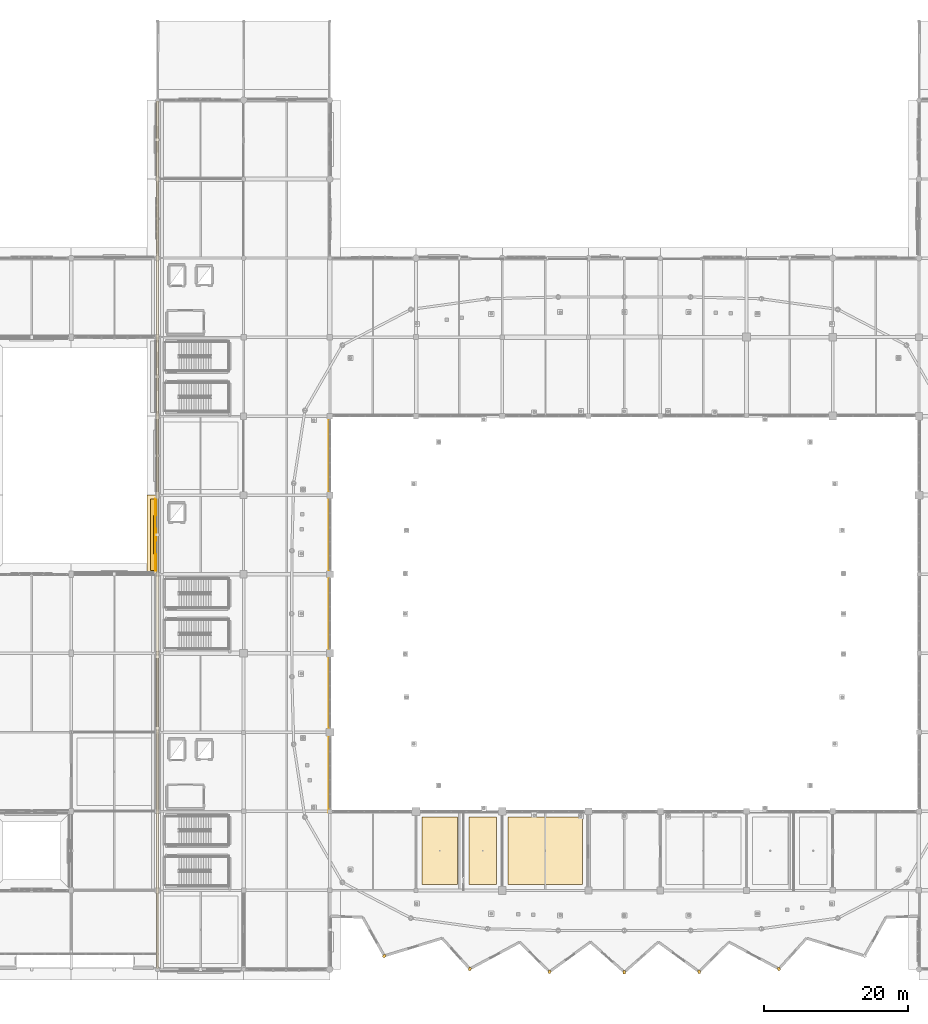
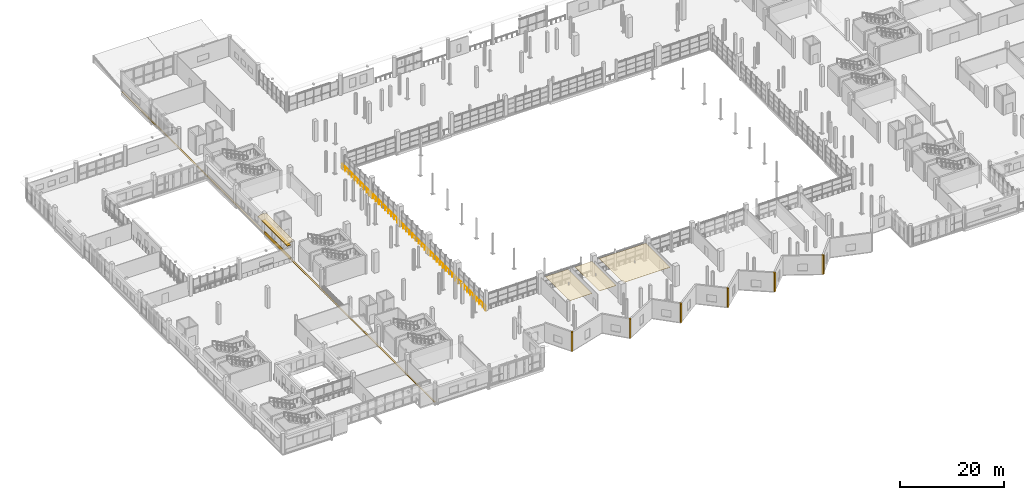
# One storey, part 123 of 143: 13 coverings, 1 railing, 1 shading device.
"""IFC4 building model written with IfcOpenShell, lengths in metres."""

from ifc_helpers import new_model, si_unit, direction, frame, origin, origin_2d, place, context, subcontext, project, spatial, polyline, rectangle, circle, outline, extrude, material, layer, layer_set, type_object, element, save


model = new_model("IFC4")

# Units and contexts
model_context = context("Model", 3, precision=1e-05, world=origin(), true_north=direction((0.0, 1.0)))
body_context = subcontext(model_context, "Body", "Model", "MODEL_VIEW")
ifc_project = project(units=[si_unit("LENGTHUNIT", "METRE"), si_unit("AREAUNIT", "SQUARE_METRE"), si_unit("VOLUMEUNIT", "CUBIC_METRE"), si_unit("PLANEANGLEUNIT", "RADIAN"), si_unit("MASSUNIT", "GRAM", prefix="KILO")], contexts=[model_context])

# Site, building, storey
site_placement = place(None, origin())
site = spatial("IfcSite", under=ifc_project, at=site_placement, CompositionType="ELEMENT")
building_placement = place(site_placement, origin())
building = spatial("IfcBuilding", under=site, at=building_placement, Name="Luwafu Chhajja Arena", CompositionType="ELEMENT")
storey_placement = place(building_placement, frame((0.0, 0.0, 5.39990234375)))
storey = spatial("IfcBuildingStorey", under=building, at=storey_placement, Name="L01", CompositionType="ELEMENT", Elevation=5.39990234375)

# Coverings
ifc_material_1 = material(Name="Red laterite sandstone cladding", Category="masonry")
ifc_layer_1 = layer(ifc_material_1, 0.074951171875, Name="Red laterite sandstone cladding")
ifc_layer_set_1 = layer_set([ifc_layer_1], Name="Red laterite sandstone cladding")
covering_type_1 = type_object("IfcCoveringType", Name="Dressed Red-Laterite Sandstone Cladding", PredefinedType="CLADDING", material=ifc_layer_set_1)
covering_1_placement = place(storey_placement, frame((34.0, 60.5, -0.02392578125), z_axis=(0.0, 0.0, 1.0), x_axis=(1.0, 0.0, 0.0)))
element("IfcCovering", 1, at=covering_1_placement, inside=storey, type_object=covering_type_1, Name="L01 Movement Joint MJ01 Flush Threshold Cover Plate 01", PredefinedType="CLADDING", context=body_context, shape_type="SweptSolid", body=[
    extrude(rectangle(XDim=0.320068359375, YDim=120.800048828125, at=origin_2d()), origin(), (0.0, 0.0, 1.0), 0.02392578125),
])
for number, where, z_axis, x_axis, name in (
    (2, (65.572509765625, 1.864013671875, 0.0), (0.0, 0.0, 1.0), (-0.574411104334, -0.818566969293, 0.0), "L01 Pleated Bowl Sandstone Ridge Fin 22"),
    (3, (77.489013671875, 0.051025390625, 0.0), (0.0, 0.0, 1.0), (-0.398902881432, -0.916993179465, 0.0), "L01 Pleated Bowl Sandstone Ridge Fin 23"),
    (4, (88.587890625, -0.3427734375, 0.0), (0.0, 0.0, 1.0), (-0.20448508974, -0.9788696788, 0.0), "L01 Pleated Bowl Sandstone Ridge Fin 24"),
    (5, (99.0, -0.39990234375, 0.0), (0.0, 0.0, 1.0), (0.0, -1.0, 0.0), "L01 Pleated Bowl Sandstone Ridge Fin 25"),
    (6, (109.412109375, -0.3427734375, 0.0), (0.0, 0.0, 1.0), (0.20448508974, -0.9788696788, 0.0), "L01 Pleated Bowl Sandstone Ridge Fin 26"),
    (7, (120.510986328125, 0.051025390625, 0.0), (0.0, 0.0, 1.0), (0.398902881432, -0.916993179465, 0.0), "L01 Pleated Bowl Sandstone Ridge Fin 27"),
):
    element("IfcCovering", number, at=place(storey_placement, frame(where, z_axis=z_axis, x_axis=x_axis)), inside=storey, type_object=covering_type_1, Name=name, PredefinedType="CLADDING", context=body_context, shape_type="SweptSolid", body=[
        extrude(rectangle(XDim=0.4599609375, YDim=0.360107421875, at=origin_2d()), origin(), (0.0, 0.0, 1.0), 4.455078125),
    ])
covering_2_placement = place(storey_placement, frame((34.199951171875, 55.0, 4.760009765625), z_axis=(-0.242502450825, 0.0, 0.970150793096), x_axis=(0.0, 1.0, 0.0)))
element("IfcCovering", 8, at=covering_2_placement, inside=storey, type_object=covering_type_1, Name="L01 Continuous Sloped Sandstone Chhajja Eave 0084", PredefinedType="CLADDING", context=body_context, shape_type="SweptSolid", body=[
    extrude(outline(polyline([(0.0, 0.0), (11.0, 0.0), (11.0, 1.731619097341133), (0.0, 1.731619097341133), (0.0, 0.0)])), origin(), (0.0, 0.0, -1.0), 0.1298828125),
])
covering_3_placement = place(storey_placement, frame((33.76806640625, 60.4951171875, 0.0), z_axis=(0.0, 0.0, 1.0), x_axis=(0.0, 1.0, 0.0)))
element("IfcCovering", 9, at=covering_3_placement, inside=storey, type_object=covering_type_1, Name="L01 Red-Laterite Sandstone Plinth Cladding 017", PredefinedType="CLADDING", context=body_context, shape_type="SweptSolid", body=[
    extrude(rectangle(XDim=9.969970703125, YDim=0.0849609375, at=origin_2d()), origin(), (0.0, 0.0, 1.0), 0.760009765625),
])
covering_4_placement = place(storey_placement, frame((33.639892578125, 60.4951171875, 2.93017578125), z_axis=(0.0, 0.0, 1.0), x_axis=(0.0, 1.0, 0.0)))
element("IfcCovering", 10, at=covering_4_placement, inside=storey, type_object=covering_type_1, Name="L01 Mughal Sandstone Window Chhajja Hood 0017", PredefinedType="CLADDING", context=body_context, shape_type="SweptSolid", body=[
    extrude(rectangle(XDim=5.373291015625, YDim=0.419921875, at=origin_2d()), origin(), (0.0, 0.0, 1.0), 0.139892578125),
])
ifc_material_2 = material(Name="Acoustic gypsum ceiling board")
ifc_layer_2 = layer(ifc_material_2, 0.0400390625, Name="Acoustic gypsum ceiling board")
ifc_layer_set_2 = layer_set([ifc_layer_2], Name="Acoustic gypsum ceiling board")
covering_type_2 = type_object("IfcCoveringType", Name="Perforated Acoustic Baffle Ceiling", PredefinedType="CEILING", material=ifc_layer_set_2)
covering_5_placement = place(storey_placement, frame((0.0, 0.0, 3.843017578125)))
element("IfcCovering", 11, at=covering_5_placement, inside=storey, type_object=covering_type_2, Name="L01 Acoustic Baffle Ceiling 029", PredefinedType="CEILING", context=body_context, shape_type="SweptSolid", body=[
    extrude(outline(polyline([(70.800048828125, 11.800048828125), (75.800048828125, 11.800048828125), (75.800048828125, 21.199951171875), (70.800048828125, 21.199951171875), (70.800048828125, 11.800048828125)])), origin(), (0.0, 0.0, 1.0), 0.0400390625),
])
covering_6_placement = place(storey_placement, frame((0.0, 0.0, 3.843017578125)))
element("IfcCovering", 12, at=covering_6_placement, inside=storey, type_object=covering_type_2, Name="L01 Acoustic Baffle Ceiling 030", PredefinedType="CEILING", context=body_context, shape_type="SweptSolid", body=[
    extrude(outline(polyline([(77.39990234375, 11.800048828125), (81.199951171875, 11.800048828125), (81.199951171875, 21.199951171875), (77.39990234375, 21.199951171875), (77.39990234375, 11.800048828125)])), origin(), (0.0, 0.0, 1.0), 0.0400390625),
])
covering_7_placement = place(storey_placement, frame((0.0, 0.0, 3.916015625)))
element("IfcCovering", 13, at=covering_7_placement, inside=storey, type_object=covering_type_2, Name="L01 Acoustic Baffle Ceiling 031", PredefinedType="CEILING", context=body_context, shape_type="SweptSolid", body=[
    extrude(outline(polyline([(82.800048828125, 11.800048828125), (93.199951171875, 11.800048828125), (93.199951171875, 21.199951171875), (82.800048828125, 21.199951171875), (82.800048828125, 11.800048828125)])), origin(), (0.0, 0.0, 1.0), 0.0400390625),
])

# Railing
ifc_material_3 = material(Name="Stainless steel balustrade", Category="steel")
railing_type = type_object("IfcRailingType", Name="Seating Bowl Sightline Barrier 1100", PredefinedType="BALUSTRADE", material=ifc_material_3)
railing_placement = place(storey_placement, frame((57.85009765625, 77.14990234375, 0.0)))
element("IfcRailing", 14, at=railing_placement, inside=storey, type_object=railing_type, Name="L01 Bowl Rim Guard 0031", PredefinedType="BALUSTRADE", context=body_context, shape_type="SweptSolid", body=[
    extrude(circle(Radius=0.02392578125, at=origin_2d()), frame((0.0, 0.0, 1.09619140625), z_axis=(0.0, -1.0, 0.0), x_axis=(1.0, 0.0, 0.0)), (0.0, 0.0, 1.0), 55.2998046875),
    extrude(circle(Radius=0.02099609375, at=origin_2d()), origin(), (0.0, 0.0, 1.0), 1.072021484375),
    extrude(circle(Radius=0.02099609375, at=origin_2d()), frame((0.0, -1.176513671875, 0.0)), (0.0, 0.0, 1.0), 1.072021484375),
    extrude(circle(Radius=0.02099609375, at=origin_2d()), frame((0.0, -2.353271484375, 0.0)), (0.0, 0.0, 1.0), 1.072021484375),
    extrude(circle(Radius=0.02099609375, at=origin_2d()), frame((0.0, -3.52978515625, 0.0)), (0.0, 0.0, 1.0), 1.072021484375),
    extrude(circle(Radius=0.02099609375, at=origin_2d()), frame((0.0, -4.706298828125, 0.0)), (0.0, 0.0, 1.0), 1.072021484375),
    extrude(circle(Radius=0.02099609375, at=origin_2d()), frame((0.0, -5.883056640625, 0.0)), (0.0, 0.0, 1.0), 1.072021484375),
    extrude(circle(Radius=0.02099609375, at=origin_2d()), frame((0.0, -7.0595703125, 0.0)), (0.0, 0.0, 1.0), 1.072021484375),
    extrude(circle(Radius=0.02099609375, at=origin_2d()), frame((0.0, -8.236083984375, 0.0)), (0.0, 0.0, 1.0), 1.072021484375),
    extrude(circle(Radius=0.02099609375, at=origin_2d()), frame((0.0, -9.412841796875, 0.0)), (0.0, 0.0, 1.0), 1.072021484375),
    extrude(circle(Radius=0.02099609375, at=origin_2d()), frame((0.0, -10.58935546875, 0.0)), (0.0, 0.0, 1.0), 1.072021484375),
    extrude(circle(Radius=0.02099609375, at=origin_2d()), frame((0.0, -11.765869140625, 0.0)), (0.0, 0.0, 1.0), 1.072021484375),
    extrude(circle(Radius=0.02099609375, at=origin_2d()), frame((0.0, -12.942626953125, 0.0)), (0.0, 0.0, 1.0), 1.072021484375),
    extrude(circle(Radius=0.02099609375, at=origin_2d()), frame((0.0, -14.119140625, 0.0)), (0.0, 0.0, 1.0), 1.072021484375),
    extrude(circle(Radius=0.02099609375, at=origin_2d()), frame((0.0, -15.295654296875, 0.0)), (0.0, 0.0, 1.0), 1.072021484375),
    extrude(circle(Radius=0.02099609375, at=origin_2d()), frame((0.0, -16.47216796875, 0.0)), (0.0, 0.0, 1.0), 1.072021484375),
    extrude(circle(Radius=0.02099609375, at=origin_2d()), frame((0.0, -17.64892578125, 0.0)), (0.0, 0.0, 1.0), 1.072021484375),
    extrude(circle(Radius=0.02099609375, at=origin_2d()), frame((0.0, -18.825439453125, 0.0)), (0.0, 0.0, 1.0), 1.072021484375),
    extrude(circle(Radius=0.02099609375, at=origin_2d()), frame((0.0, -20.001953125, 0.0)), (0.0, 0.0, 1.0), 1.072021484375),
    extrude(circle(Radius=0.02099609375, at=origin_2d()), frame((0.0, -21.1787109375, 0.0)), (0.0, 0.0, 1.0), 1.072021484375),
    extrude(circle(Radius=0.02099609375, at=origin_2d()), frame((0.0, -22.355224609375, 0.0)), (0.0, 0.0, 1.0), 1.072021484375),
    extrude(circle(Radius=0.02099609375, at=origin_2d()), frame((0.0, -23.53173828125, 0.0)), (0.0, 0.0, 1.0), 1.072021484375),
    extrude(circle(Radius=0.02099609375, at=origin_2d()), frame((0.0, -24.70849609375, 0.0)), (0.0, 0.0, 1.0), 1.072021484375),
    extrude(circle(Radius=0.02099609375, at=origin_2d()), frame((0.0, -25.885009765625, 0.0)), (0.0, 0.0, 1.0), 1.072021484375),
    extrude(circle(Radius=0.02099609375, at=origin_2d()), frame((0.0, -27.0615234375, 0.0)), (0.0, 0.0, 1.0), 1.072021484375),
    extrude(circle(Radius=0.02099609375, at=origin_2d()), frame((0.0, -28.23828125, 0.0)), (0.0, 0.0, 1.0), 1.072021484375),
    extrude(circle(Radius=0.02099609375, at=origin_2d()), frame((0.0, -29.414794921875, 0.0)), (0.0, 0.0, 1.0), 1.072021484375),
    extrude(circle(Radius=0.02099609375, at=origin_2d()), frame((0.0, -30.59130859375, 0.0)), (0.0, 0.0, 1.0), 1.072021484375),
    extrude(circle(Radius=0.02099609375, at=origin_2d()), frame((0.0, -31.76806640625, 0.0)), (0.0, 0.0, 1.0), 1.072021484375),
    extrude(circle(Radius=0.02099609375, at=origin_2d()), frame((0.0, -32.944580078125, 0.0)), (0.0, 0.0, 1.0), 1.072021484375),
    extrude(circle(Radius=0.02099609375, at=origin_2d()), frame((0.0, -34.12109375, 0.0)), (0.0, 0.0, 1.0), 1.072021484375),
    extrude(circle(Radius=0.02099609375, at=origin_2d()), frame((0.0, -35.2978515625, 0.0)), (0.0, 0.0, 1.0), 1.072021484375),
    extrude(circle(Radius=0.02099609375, at=origin_2d()), frame((0.0, -36.474365234375, 0.0)), (0.0, 0.0, 1.0), 1.072021484375),
    extrude(circle(Radius=0.02099609375, at=origin_2d()), frame((0.0, -37.65087890625, 0.0)), (0.0, 0.0, 1.0), 1.072021484375),
    extrude(circle(Radius=0.02099609375, at=origin_2d()), frame((0.0, -38.82763671875, 0.0)), (0.0, 0.0, 1.0), 1.072021484375),
    extrude(circle(Radius=0.02099609375, at=origin_2d()), frame((0.0, -40.004150390625, 0.0)), (0.0, 0.0, 1.0), 1.072021484375),
    extrude(circle(Radius=0.02099609375, at=origin_2d()), frame((0.0, -41.1806640625, 0.0)), (0.0, 0.0, 1.0), 1.072021484375),
    extrude(circle(Radius=0.02099609375, at=origin_2d()), frame((0.0, -42.357177734375, 0.0)), (0.0, 0.0, 1.0), 1.072021484375),
    extrude(circle(Radius=0.02099609375, at=origin_2d()), frame((0.0, -43.533935546875, 0.0)), (0.0, 0.0, 1.0), 1.072021484375),
    extrude(circle(Radius=0.02099609375, at=origin_2d()), frame((0.0, -44.71044921875, 0.0)), (0.0, 0.0, 1.0), 1.072021484375),
    extrude(circle(Radius=0.02099609375, at=origin_2d()), frame((0.0, -45.886962890625, 0.0)), (0.0, 0.0, 1.0), 1.072021484375),
    extrude(circle(Radius=0.02099609375, at=origin_2d()), frame((0.0, -47.063720703125, 0.0)), (0.0, 0.0, 1.0), 1.072021484375),
    extrude(circle(Radius=0.02099609375, at=origin_2d()), frame((0.0, -48.240234375, 0.0)), (0.0, 0.0, 1.0), 1.072021484375),
    extrude(circle(Radius=0.02099609375, at=origin_2d()), frame((0.0, -49.416748046875, 0.0)), (0.0, 0.0, 1.0), 1.072021484375),
    extrude(circle(Radius=0.02099609375, at=origin_2d()), frame((0.0, -50.593505859375, 0.0)), (0.0, 0.0, 1.0), 1.072021484375),
    extrude(circle(Radius=0.02099609375, at=origin_2d()), frame((0.0, -51.77001953125, 0.0)), (0.0, 0.0, 1.0), 1.072021484375),
    extrude(circle(Radius=0.02099609375, at=origin_2d()), frame((0.0, -52.946533203125, 0.0)), (0.0, 0.0, 1.0), 1.072021484375),
    extrude(circle(Radius=0.02099609375, at=origin_2d()), frame((0.0, -54.123291015625, 0.0)), (0.0, 0.0, 1.0), 1.072021484375),
    extrude(circle(Radius=0.02099609375, at=origin_2d()), frame((0.0, -55.2998046875, 0.0)), (0.0, 0.0, 1.0), 1.072021484375),
])

# Shading device
ifc_material_4 = material(Name="Red laterite sandstone chhajja", Category="masonry")
ifc_layer_3 = layer(ifc_material_4, 0.1201171875, Name="Red laterite sandstone chhajja")
ifc_layer_set_3 = layer_set([ifc_layer_3], Name="Red laterite sandstone chhajja")
shading_device_type = type_object("IfcShadingDeviceType", Name="Sloped Red-Sandstone Chhajja Eave", PredefinedType="USERDEFINED", material=ifc_layer_set_3)
shading_device_placement = place(storey_placement, frame((33.43994140625, 60.4951171875, 3.419921875), z_axis=(0.0, 0.0, 1.0), x_axis=(0.0, 1.0, 0.0)))
element("IfcShadingDevice", 15, at=shading_device_placement, inside=storey, type_object=shading_device_type, Name="L01 Sloped Red-Sandstone Chhajja Eave 035", ObjectType="CHHAJJA", PredefinedType="USERDEFINED", context=body_context, shape_type="SweptSolid", body=[
    extrude(rectangle(XDim=9.969970703125, YDim=0.820068359375, at=origin_2d()), origin(), (0.0, 0.0, 1.0), 0.1201171875),
])

save(model, "model.ifc")
